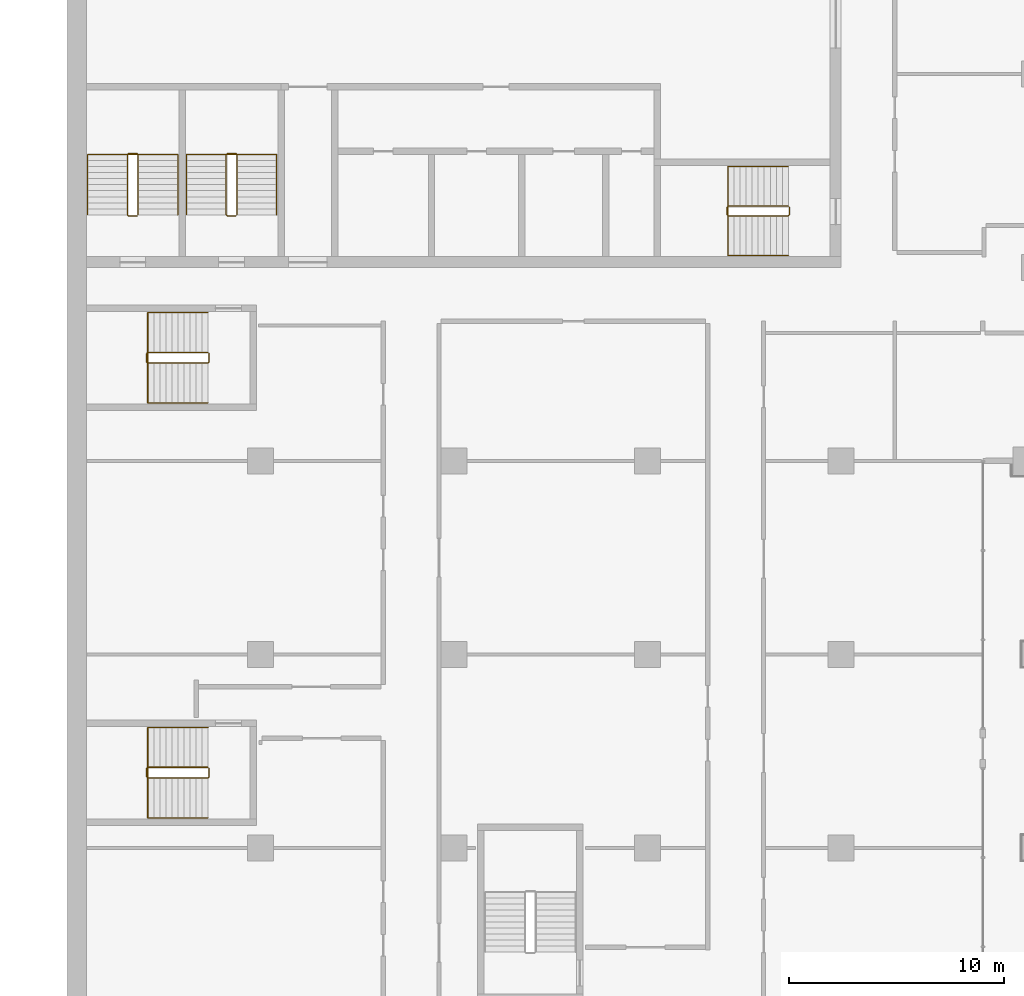
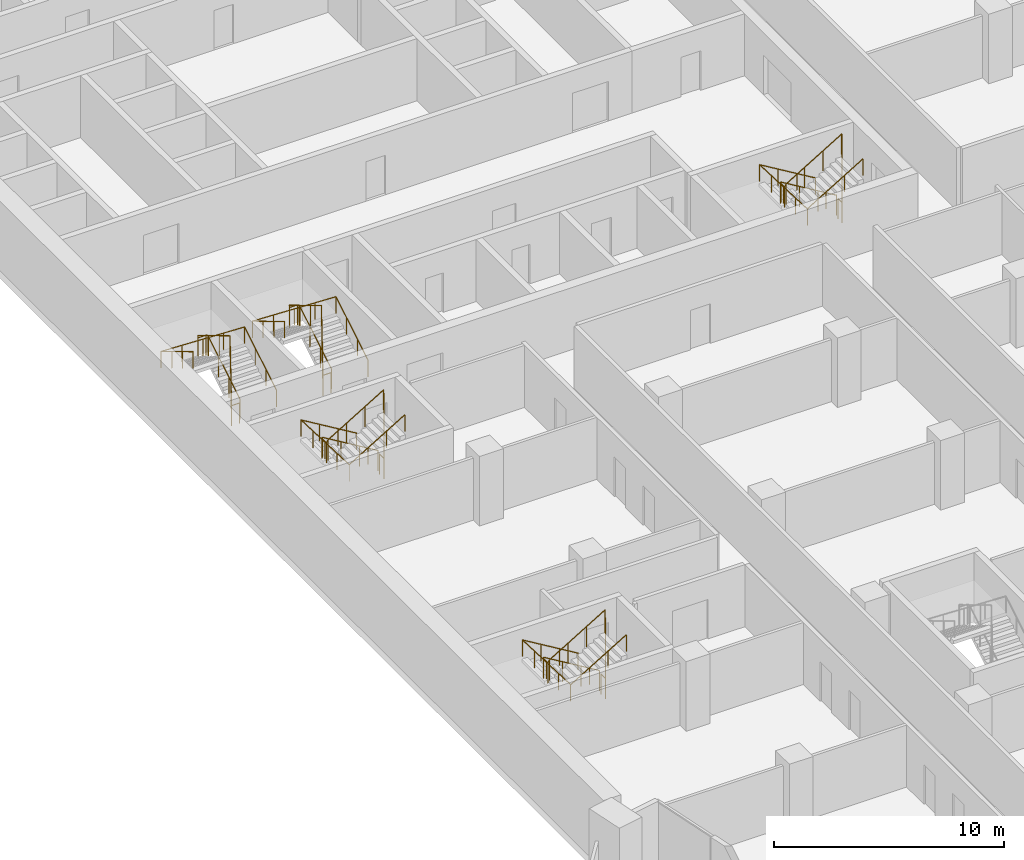
# One storey, part 20 of 22: 10 railings.
"""IFC4 building model written with IfcOpenShell, lengths in metres."""

from ifc_helpers import new_model, si_unit, direction, frame, origin, origin_2d, place, context, subcontext, project, spatial, circle, extrude, material, type_object, element, save


model = new_model("IFC4")

# Units and contexts
model_context = context("Model", 3, precision=1e-05, world=origin(), true_north=direction((0.0, 1.0)))
body_context = subcontext(model_context, "Body", "Model", "MODEL_VIEW")
ifc_project = project(units=[si_unit("LENGTHUNIT", "METRE"), si_unit("AREAUNIT", "SQUARE_METRE"), si_unit("VOLUMEUNIT", "CUBIC_METRE"), si_unit("PLANEANGLEUNIT", "RADIAN"), si_unit("MASSUNIT", "GRAM", prefix="KILO")], contexts=[model_context])

# Site, building, storey
site_placement = place(None, origin())
site = spatial("IfcSite", under=ifc_project, at=site_placement, CompositionType="ELEMENT")
building_placement = place(site_placement, origin())
building = spatial("IfcBuilding", under=site, at=building_placement, Name="Hunhe Ridgeline Campus", CompositionType="ELEMENT")
storey_placement = place(building_placement, frame((0.0, 0.0, 156.0)))
storey = spatial("IfcBuildingStorey", under=building, at=storey_placement, Name="L39", CompositionType="ELEMENT", Elevation=156.0)

# Railings
ifc_material_1 = material(Name="Stainless steel balustrade", Category="steel")
railing_type_1 = type_object("IfcRailingType", Name="Stair guard 1100 stainless", PredefinedType="GUARDRAIL", material=ifc_material_1)
railing_1_placement = place(storey_placement, frame((33.550048828125, 65.85009765625, 0.168212890625)))
element("IfcRailing", 1, at=railing_1_placement, inside=storey, type_object=railing_type_1, Name="L39 stair S2 guard", PredefinedType="GUARDRAIL", context=body_context, shape_type="SweptSolid", body=[
    extrude(circle(Radius=0.02392578125, at=origin_2d()), frame((0.0, 0.0, 1.076171875), z_axis=(-0.857242210791, 0.0, 0.514913383045), x_axis=(0.0, -1.0, 0.0)), (0.0, 0.0, 1.0), 3.266357421875),
    extrude(circle(Radius=0.02392578125, at=origin_2d()), frame((-2.800048828125, 0.0, 2.7578125), z_axis=(-0.707106781187, -0.707106781187, 0.0), x_axis=(0.707106781187, -0.707106781187, 0.0)), (0.0, 0.0, 1.0), 0.07080078125),
    extrude(circle(Radius=0.02392578125, at=origin_2d()), frame((-2.85009765625, -0.050048828125, 2.7578125), z_axis=(0.0, -1.0, 0.0), x_axis=(1.0, 0.0, 0.0)), (0.0, 0.0, 1.0), 0.35009765625),
    extrude(circle(Radius=0.02392578125, at=origin_2d()), frame((-2.85009765625, -0.400146484375, 2.7578125), z_axis=(0.274582412415, -0.274582412415, 0.921525364591), x_axis=(0.707106781187, 0.707106781187, 0.0)), (0.0, 0.0, 1.0), 0.182373046875),
    extrude(circle(Radius=0.02392578125, at=origin_2d()), frame((-2.800048828125, -0.4501953125, 2.92578125), z_axis=(0.857242210791, 0.0, 0.514913383045), x_axis=(0.0, 1.0, 0.0)), (0.0, 0.0, 1.0), 3.266357421875),
    extrude(circle(Radius=0.02392578125, at=origin_2d()), frame((0.0, -0.4501953125, 4.60791015625), z_axis=(0.013524414389, 0.013524414389, -0.999817073484), x_axis=(-0.707106781187, 0.707106781187, 0.0)), (0.0, 0.0, 1.0), 3.70068359375),
    extrude(circle(Radius=0.02392578125, at=origin_2d()), frame((0.050048828125, -0.400146484375, 0.90771484375), z_axis=(0.0, 1.0, 0.0), x_axis=(-1.0, 0.0, 0.0)), (0.0, 0.0, 1.0), 0.35009765625),
    extrude(circle(Radius=0.02099609375, at=origin_2d()), origin(), (0.0, 0.0, 1.0), 1.052001953125),
    extrude(circle(Radius=0.02099609375, at=origin_2d()), frame((-0.933349609375, 0.0, 0.560546875)), (0.0, 0.0, 1.0), 1.052001953125),
    extrude(circle(Radius=0.02099609375, at=origin_2d()), frame((-1.86669921875, 0.0, 1.121337890625)), (0.0, 0.0, 1.0), 1.052001953125),
    extrude(circle(Radius=0.02099609375, at=origin_2d()), frame((-2.800048828125, 0.0, 1.681884765625)), (0.0, 0.0, 1.0), 1.052001953125),
    extrude(circle(Radius=0.02099609375, at=origin_2d()), frame((-2.85009765625, -0.050048828125, 1.681884765625)), (0.0, 0.0, 1.0), 1.052001953125),
    extrude(circle(Radius=0.02099609375, at=origin_2d()), frame((-2.85009765625, -0.400146484375, 1.681884765625)), (0.0, 0.0, 1.0), 1.052001953125),
    extrude(circle(Radius=0.02099609375, at=origin_2d()), frame((-2.800048828125, -0.4501953125, 1.849853515625)), (0.0, 0.0, 1.0), 1.052001953125),
    extrude(circle(Radius=0.02099609375, at=origin_2d()), frame((-1.86669921875, -0.4501953125, 2.410400390625)), (0.0, 0.0, 1.0), 1.052001953125),
    extrude(circle(Radius=0.02099609375, at=origin_2d()), frame((-0.933349609375, -0.4501953125, 2.97119140625)), (0.0, 0.0, 1.0), 1.052001953125),
    extrude(circle(Radius=0.02099609375, at=origin_2d()), frame((0.0, -0.4501953125, 3.53173828125)), (0.0, 0.0, 1.0), 1.052001953125),
    extrude(circle(Radius=0.02099609375, at=origin_2d()), frame((0.012451171875, -0.437744140625, 2.606689453125)), (0.0, 0.0, 1.0), 1.052001953125),
    extrude(circle(Radius=0.02099609375, at=origin_2d()), frame((0.02490234375, -0.42529296875, 1.681640625)), (0.0, 0.0, 1.0), 1.052001953125),
    extrude(circle(Radius=0.02099609375, at=origin_2d()), frame((0.03759765625, -0.41259765625, 0.7568359375)), (0.0, 0.0, 1.0), 1.052001953125),
    extrude(circle(Radius=0.02099609375, at=origin_2d()), frame((0.050048828125, -0.400146484375, -0.168212890625)), (0.0, 0.0, 1.0), 1.052001953125),
    extrude(circle(Radius=0.02099609375, at=origin_2d()), frame((0.050048828125, -0.050048828125, -0.168212890625)), (0.0, 0.0, 1.0), 1.052001953125),
])
railing_2_placement = place(storey_placement, frame((3.300048828125, 65.449951171875, 0.168212890625)))
element("IfcRailing", 2, at=railing_2_placement, inside=storey, type_object=railing_type_1, Name="L39 stair S3 guard", PredefinedType="GUARDRAIL", context=body_context, shape_type="SweptSolid", body=[
    extrude(circle(Radius=0.02392578125, at=origin_2d()), frame((0.0, 0.0, 1.076171875), z_axis=(0.0, 0.857242210791, 0.514913383045), x_axis=(-1.0, 0.0, 0.0)), (0.0, 0.0, 1.0), 3.266357421875),
    extrude(circle(Radius=0.02392578125, at=origin_2d()), frame((0.0, 2.800048828125, 2.7578125), z_axis=(-0.707106781187, 0.707106781187, 0.0), x_axis=(-0.707106781187, -0.707106781187, 0.0)), (0.0, 0.0, 1.0), 0.07080078125),
    extrude(circle(Radius=0.02392578125, at=origin_2d()), frame((-0.050048828125, 2.85009765625, 2.7578125), z_axis=(-1.0, 0.0, 0.0), x_axis=(0.0, -1.0, 0.0)), (0.0, 0.0, 1.0), 0.39990234375),
    extrude(circle(Radius=0.02392578125, at=origin_2d()), frame((-0.449951171875, 2.85009765625, 2.7578125), z_axis=(-0.274582412415, -0.274582412415, 0.921525364591), x_axis=(0.707106781187, -0.707106781187, 0.0)), (0.0, 0.0, 1.0), 0.182373046875),
    extrude(circle(Radius=0.02392578125, at=origin_2d()), frame((-0.5, 2.800048828125, 2.92578125), z_axis=(0.0, -0.857242210791, 0.514913383045), x_axis=(1.0, 0.0, 0.0)), (0.0, 0.0, 1.0), 3.266357421875),
    extrude(circle(Radius=0.02392578125, at=origin_2d()), frame((-0.5, 0.0, 4.60791015625), z_axis=(0.013524414389, -0.013524414389, -0.999817073484), x_axis=(0.707106781187, 0.707106781187, 0.0)), (0.0, 0.0, 1.0), 3.70068359375),
    extrude(circle(Radius=0.02392578125, at=origin_2d()), frame((-0.449951171875, -0.050048828125, 0.90771484375), z_axis=(1.0, 0.0, 0.0), x_axis=(0.0, 1.0, 0.0)), (0.0, 0.0, 1.0), 0.39990234375),
    extrude(circle(Radius=0.02099609375, at=origin_2d()), origin(), (0.0, 0.0, 1.0), 1.052001953125),
    extrude(circle(Radius=0.02099609375, at=origin_2d()), frame((0.0, 0.933349609375, 0.560546875)), (0.0, 0.0, 1.0), 1.052001953125),
    extrude(circle(Radius=0.02099609375, at=origin_2d()), frame((0.0, 1.86669921875, 1.121337890625)), (0.0, 0.0, 1.0), 1.052001953125),
    extrude(circle(Radius=0.02099609375, at=origin_2d()), frame((0.0, 2.800048828125, 1.681884765625)), (0.0, 0.0, 1.0), 1.052001953125),
    extrude(circle(Radius=0.02099609375, at=origin_2d()), frame((-0.050048828125, 2.85009765625, 1.681884765625)), (0.0, 0.0, 1.0), 1.052001953125),
    extrude(circle(Radius=0.02099609375, at=origin_2d()), frame((-0.449951171875, 2.85009765625, 1.681884765625)), (0.0, 0.0, 1.0), 1.052001953125),
    extrude(circle(Radius=0.02099609375, at=origin_2d()), frame((-0.5, 2.800048828125, 1.849853515625)), (0.0, 0.0, 1.0), 1.052001953125),
    extrude(circle(Radius=0.02099609375, at=origin_2d()), frame((-0.5, 1.86669921875, 2.410400390625)), (0.0, 0.0, 1.0), 1.052001953125),
    extrude(circle(Radius=0.02099609375, at=origin_2d()), frame((-0.5, 0.933349609375, 2.97119140625)), (0.0, 0.0, 1.0), 1.052001953125),
    extrude(circle(Radius=0.02099609375, at=origin_2d()), frame((-0.5, 0.0, 3.53173828125)), (0.0, 0.0, 1.0), 1.052001953125),
    extrude(circle(Radius=0.02099609375, at=origin_2d()), frame((-0.487548828125, -0.012451171875, 2.606689453125)), (0.0, 0.0, 1.0), 1.052001953125),
    extrude(circle(Radius=0.02099609375, at=origin_2d()), frame((-0.47509765625, -0.02490234375, 1.681640625)), (0.0, 0.0, 1.0), 1.052001953125),
    extrude(circle(Radius=0.02099609375, at=origin_2d()), frame((-0.46240234375, -0.03759765625, 0.7568359375)), (0.0, 0.0, 1.0), 1.052001953125),
    extrude(circle(Radius=0.02099609375, at=origin_2d()), frame((-0.449951171875, -0.050048828125, -0.168212890625)), (0.0, 0.0, 1.0), 1.052001953125),
    extrude(circle(Radius=0.02099609375, at=origin_2d()), frame((-0.050048828125, -0.050048828125, -0.168212890625)), (0.0, 0.0, 1.0), 1.052001953125),
])
railing_3_placement = place(storey_placement, frame((7.89990234375, 65.449951171875, 0.168212890625)))
element("IfcRailing", 3, at=railing_3_placement, inside=storey, type_object=railing_type_1, Name="L39 stair S4 guard", PredefinedType="GUARDRAIL", context=body_context, shape_type="SweptSolid", body=[
    extrude(circle(Radius=0.02392578125, at=origin_2d()), frame((0.0, 0.0, 1.076171875), z_axis=(0.0, 0.857242210791, 0.514913383045), x_axis=(-1.0, 0.0, 0.0)), (0.0, 0.0, 1.0), 3.266357421875),
    extrude(circle(Radius=0.02392578125, at=origin_2d()), frame((0.0, 2.800048828125, 2.7578125), z_axis=(-0.705375805398, 0.708833529934, 0.0), x_axis=(-0.708833529934, -0.705375805398, 0.0)), (0.0, 0.0, 1.0), 0.070556640625),
    extrude(circle(Radius=0.02392578125, at=origin_2d()), frame((-0.0498046875, 2.85009765625, 2.7578125), z_axis=(-1.0, 0.0, 0.0), x_axis=(0.0, -1.0, 0.0)), (0.0, 0.0, 1.0), 0.400146484375),
    extrude(circle(Radius=0.02392578125, at=origin_2d()), frame((-0.449951171875, 2.85009765625, 2.7578125), z_axis=(-0.274582412415, -0.274582412415, 0.921525364591), x_axis=(0.707106781187, -0.707106781187, 0.0)), (0.0, 0.0, 1.0), 0.182373046875),
    extrude(circle(Radius=0.02392578125, at=origin_2d()), frame((-0.5, 2.800048828125, 2.92578125), z_axis=(0.0, -0.857242210791, 0.514913383045), x_axis=(1.0, 0.0, 0.0)), (0.0, 0.0, 1.0), 3.266357421875),
    extrude(circle(Radius=0.02392578125, at=origin_2d()), frame((-0.5, 0.0, 4.60791015625), z_axis=(0.013524414389, -0.013524414389, -0.999817073484), x_axis=(0.707106781187, 0.707106781187, 0.0)), (0.0, 0.0, 1.0), 3.70068359375),
    extrude(circle(Radius=0.02392578125, at=origin_2d()), frame((-0.449951171875, -0.050048828125, 0.90771484375), z_axis=(1.0, 0.0, 0.0), x_axis=(0.0, 1.0, 0.0)), (0.0, 0.0, 1.0), 0.400146484375),
    extrude(circle(Radius=0.02099609375, at=origin_2d()), origin(), (0.0, 0.0, 1.0), 1.052001953125),
    extrude(circle(Radius=0.02099609375, at=origin_2d()), frame((0.0, 0.933349609375, 0.560546875)), (0.0, 0.0, 1.0), 1.052001953125),
    extrude(circle(Radius=0.02099609375, at=origin_2d()), frame((0.0, 1.86669921875, 1.121337890625)), (0.0, 0.0, 1.0), 1.052001953125),
    extrude(circle(Radius=0.02099609375, at=origin_2d()), frame((0.0, 2.800048828125, 1.681884765625)), (0.0, 0.0, 1.0), 1.052001953125),
    extrude(circle(Radius=0.02099609375, at=origin_2d()), frame((-0.0498046875, 2.85009765625, 1.681884765625)), (0.0, 0.0, 1.0), 1.052001953125),
    extrude(circle(Radius=0.02099609375, at=origin_2d()), frame((-0.449951171875, 2.85009765625, 1.681884765625)), (0.0, 0.0, 1.0), 1.052001953125),
    extrude(circle(Radius=0.02099609375, at=origin_2d()), frame((-0.5, 2.800048828125, 1.849853515625)), (0.0, 0.0, 1.0), 1.052001953125),
    extrude(circle(Radius=0.02099609375, at=origin_2d()), frame((-0.5, 1.86669921875, 2.410400390625)), (0.0, 0.0, 1.0), 1.052001953125),
    extrude(circle(Radius=0.02099609375, at=origin_2d()), frame((-0.5, 0.933349609375, 2.97119140625)), (0.0, 0.0, 1.0), 1.052001953125),
    extrude(circle(Radius=0.02099609375, at=origin_2d()), frame((-0.5, 0.0, 3.53173828125)), (0.0, 0.0, 1.0), 1.052001953125),
    extrude(circle(Radius=0.02099609375, at=origin_2d()), frame((-0.487548828125, -0.012451171875, 2.606689453125)), (0.0, 0.0, 1.0), 1.052001953125),
    extrude(circle(Radius=0.02099609375, at=origin_2d()), frame((-0.47509765625, -0.02490234375, 1.681640625)), (0.0, 0.0, 1.0), 1.052001953125),
    extrude(circle(Radius=0.02099609375, at=origin_2d()), frame((-0.46240234375, -0.03759765625, 0.7568359375)), (0.0, 0.0, 1.0), 1.052001953125),
    extrude(circle(Radius=0.02099609375, at=origin_2d()), frame((-0.449951171875, -0.050048828125, -0.168212890625)), (0.0, 0.0, 1.0), 1.052001953125),
    extrude(circle(Radius=0.02099609375, at=origin_2d()), frame((-0.0498046875, -0.050048828125, -0.168212890625)), (0.0, 0.0, 1.0), 1.052001953125),
])
railing_4_placement = place(storey_placement, frame((6.550048828125, 39.75, 0.168212890625)))
element("IfcRailing", 4, at=railing_4_placement, inside=storey, type_object=railing_type_1, Name="L39 stair W1 guard", PredefinedType="GUARDRAIL", context=body_context, shape_type="SweptSolid", body=[
    extrude(circle(Radius=0.02392578125, at=origin_2d()), frame((0.0, 0.0, 1.076171875), z_axis=(-0.857242210791, 0.0, 0.514913383045), x_axis=(0.0, -1.0, 0.0)), (0.0, 0.0, 1.0), 3.266357421875),
    extrude(circle(Radius=0.02392578125, at=origin_2d()), frame((-2.800048828125, 0.0, 2.7578125), z_axis=(-0.707106781187, -0.707106781187, 0.0), x_axis=(0.707106781187, -0.707106781187, 0.0)), (0.0, 0.0, 1.0), 0.07080078125),
    extrude(circle(Radius=0.02392578125, at=origin_2d()), frame((-2.85009765625, -0.050048828125, 2.7578125), z_axis=(0.0, -1.0, 0.0), x_axis=(1.0, 0.0, 0.0)), (0.0, 0.0, 1.0), 0.39990234375),
    extrude(circle(Radius=0.02392578125, at=origin_2d()), frame((-2.85009765625, -0.449951171875, 2.7578125), z_axis=(0.274582412415, -0.274582412415, 0.921525364591), x_axis=(0.707106781187, 0.707106781187, 0.0)), (0.0, 0.0, 1.0), 0.182373046875),
    extrude(circle(Radius=0.02392578125, at=origin_2d()), frame((-2.800048828125, -0.5, 2.92578125), z_axis=(0.857242210791, 0.0, 0.514913383045), x_axis=(0.0, 1.0, 0.0)), (0.0, 0.0, 1.0), 3.266357421875),
    extrude(circle(Radius=0.02392578125, at=origin_2d()), frame((0.0, -0.5, 4.60791015625), z_axis=(0.013524414389, 0.013524414389, -0.999817073484), x_axis=(-0.707106781187, 0.707106781187, 0.0)), (0.0, 0.0, 1.0), 3.70068359375),
    extrude(circle(Radius=0.02392578125, at=origin_2d()), frame((0.050048828125, -0.449951171875, 0.90771484375), z_axis=(0.0, 1.0, 0.0), x_axis=(-1.0, 0.0, 0.0)), (0.0, 0.0, 1.0), 0.39990234375),
    extrude(circle(Radius=0.02099609375, at=origin_2d()), origin(), (0.0, 0.0, 1.0), 1.052001953125),
    extrude(circle(Radius=0.02099609375, at=origin_2d()), frame((-0.933349609375, 0.0, 0.560546875)), (0.0, 0.0, 1.0), 1.052001953125),
    extrude(circle(Radius=0.02099609375, at=origin_2d()), frame((-1.86669921875, 0.0, 1.121337890625)), (0.0, 0.0, 1.0), 1.052001953125),
    extrude(circle(Radius=0.02099609375, at=origin_2d()), frame((-2.800048828125, 0.0, 1.681884765625)), (0.0, 0.0, 1.0), 1.052001953125),
    extrude(circle(Radius=0.02099609375, at=origin_2d()), frame((-2.85009765625, -0.050048828125, 1.681884765625)), (0.0, 0.0, 1.0), 1.052001953125),
    extrude(circle(Radius=0.02099609375, at=origin_2d()), frame((-2.85009765625, -0.449951171875, 1.681884765625)), (0.0, 0.0, 1.0), 1.052001953125),
    extrude(circle(Radius=0.02099609375, at=origin_2d()), frame((-2.800048828125, -0.5, 1.849853515625)), (0.0, 0.0, 1.0), 1.052001953125),
    extrude(circle(Radius=0.02099609375, at=origin_2d()), frame((-1.86669921875, -0.5, 2.410400390625)), (0.0, 0.0, 1.0), 1.052001953125),
    extrude(circle(Radius=0.02099609375, at=origin_2d()), frame((-0.933349609375, -0.5, 2.97119140625)), (0.0, 0.0, 1.0), 1.052001953125),
    extrude(circle(Radius=0.02099609375, at=origin_2d()), frame((0.0, -0.5, 3.53173828125)), (0.0, 0.0, 1.0), 1.052001953125),
    extrude(circle(Radius=0.02099609375, at=origin_2d()), frame((0.012451171875, -0.487548828125, 2.606689453125)), (0.0, 0.0, 1.0), 1.052001953125),
    extrude(circle(Radius=0.02099609375, at=origin_2d()), frame((0.02490234375, -0.47509765625, 1.681640625)), (0.0, 0.0, 1.0), 1.052001953125),
    extrude(circle(Radius=0.02099609375, at=origin_2d()), frame((0.03759765625, -0.46240234375, 0.7568359375)), (0.0, 0.0, 1.0), 1.052001953125),
    extrude(circle(Radius=0.02099609375, at=origin_2d()), frame((0.050048828125, -0.449951171875, -0.168212890625)), (0.0, 0.0, 1.0), 1.052001953125),
    extrude(circle(Radius=0.02099609375, at=origin_2d()), frame((0.050048828125, -0.050048828125, -0.168212890625)), (0.0, 0.0, 1.0), 1.052001953125),
])
railing_5_placement = place(storey_placement, frame((6.550048828125, 59.050048828125, 0.168212890625)))
element("IfcRailing", 5, at=railing_5_placement, inside=storey, type_object=railing_type_1, Name="L39 stair W2 guard", PredefinedType="GUARDRAIL", context=body_context, shape_type="SweptSolid", body=[
    extrude(circle(Radius=0.02392578125, at=origin_2d()), frame((0.0, 0.0, 1.076171875), z_axis=(-0.857242210791, 0.0, 0.514913383045), x_axis=(0.0, -1.0, 0.0)), (0.0, 0.0, 1.0), 3.266357421875),
    extrude(circle(Radius=0.02392578125, at=origin_2d()), frame((-2.800048828125, 0.0, 2.7578125), z_axis=(-0.707106781187, -0.707106781187, 0.0), x_axis=(0.707106781187, -0.707106781187, 0.0)), (0.0, 0.0, 1.0), 0.07080078125),
    extrude(circle(Radius=0.02392578125, at=origin_2d()), frame((-2.85009765625, -0.050048828125, 2.7578125), z_axis=(0.0, -1.0, 0.0), x_axis=(1.0, 0.0, 0.0)), (0.0, 0.0, 1.0), 0.39990234375),
    extrude(circle(Radius=0.02392578125, at=origin_2d()), frame((-2.85009765625, -0.449951171875, 2.7578125), z_axis=(0.274582412415, -0.274582412415, 0.921525364591), x_axis=(0.707106781187, 0.707106781187, 0.0)), (0.0, 0.0, 1.0), 0.182373046875),
    extrude(circle(Radius=0.02392578125, at=origin_2d()), frame((-2.800048828125, -0.5, 2.92578125), z_axis=(0.857242210791, 0.0, 0.514913383045), x_axis=(0.0, 1.0, 0.0)), (0.0, 0.0, 1.0), 3.266357421875),
    extrude(circle(Radius=0.02392578125, at=origin_2d()), frame((0.0, -0.5, 4.60791015625), z_axis=(0.013524414389, 0.013524414389, -0.999817073484), x_axis=(-0.707106781187, 0.707106781187, 0.0)), (0.0, 0.0, 1.0), 3.70068359375),
    extrude(circle(Radius=0.02392578125, at=origin_2d()), frame((0.050048828125, -0.449951171875, 0.90771484375), z_axis=(0.0, 1.0, 0.0), x_axis=(-1.0, 0.0, 0.0)), (0.0, 0.0, 1.0), 0.39990234375),
    extrude(circle(Radius=0.02099609375, at=origin_2d()), origin(), (0.0, 0.0, 1.0), 1.052001953125),
    extrude(circle(Radius=0.02099609375, at=origin_2d()), frame((-0.933349609375, 0.0, 0.560546875)), (0.0, 0.0, 1.0), 1.052001953125),
    extrude(circle(Radius=0.02099609375, at=origin_2d()), frame((-1.86669921875, 0.0, 1.121337890625)), (0.0, 0.0, 1.0), 1.052001953125),
    extrude(circle(Radius=0.02099609375, at=origin_2d()), frame((-2.800048828125, 0.0, 1.681884765625)), (0.0, 0.0, 1.0), 1.052001953125),
    extrude(circle(Radius=0.02099609375, at=origin_2d()), frame((-2.85009765625, -0.050048828125, 1.681884765625)), (0.0, 0.0, 1.0), 1.052001953125),
    extrude(circle(Radius=0.02099609375, at=origin_2d()), frame((-2.85009765625, -0.449951171875, 1.681884765625)), (0.0, 0.0, 1.0), 1.052001953125),
    extrude(circle(Radius=0.02099609375, at=origin_2d()), frame((-2.800048828125, -0.5, 1.849853515625)), (0.0, 0.0, 1.0), 1.052001953125),
    extrude(circle(Radius=0.02099609375, at=origin_2d()), frame((-1.86669921875, -0.5, 2.410400390625)), (0.0, 0.0, 1.0), 1.052001953125),
    extrude(circle(Radius=0.02099609375, at=origin_2d()), frame((-0.933349609375, -0.5, 2.97119140625)), (0.0, 0.0, 1.0), 1.052001953125),
    extrude(circle(Radius=0.02099609375, at=origin_2d()), frame((0.0, -0.5, 3.53173828125)), (0.0, 0.0, 1.0), 1.052001953125),
    extrude(circle(Radius=0.02099609375, at=origin_2d()), frame((0.012451171875, -0.487548828125, 2.606689453125)), (0.0, 0.0, 1.0), 1.052001953125),
    extrude(circle(Radius=0.02099609375, at=origin_2d()), frame((0.02490234375, -0.47509765625, 1.681640625)), (0.0, 0.0, 1.0), 1.052001953125),
    extrude(circle(Radius=0.02099609375, at=origin_2d()), frame((0.03759765625, -0.46240234375, 0.7568359375)), (0.0, 0.0, 1.0), 1.052001953125),
    extrude(circle(Radius=0.02099609375, at=origin_2d()), frame((0.050048828125, -0.449951171875, -0.168212890625)), (0.0, 0.0, 1.0), 1.052001953125),
    extrude(circle(Radius=0.02099609375, at=origin_2d()), frame((0.050048828125, -0.050048828125, -0.168212890625)), (0.0, 0.0, 1.0), 1.052001953125),
])
ifc_material_2 = material(Name="Stainless steel handrail", Category="steel")
railing_type_2 = type_object("IfcRailingType", Name="Stair handrail 900 stainless", PredefinedType="HANDRAIL", material=ifc_material_2)
railing_6_placement = place(storey_placement, frame((33.550048828125, 67.699951171875, 0.168212890625)))
element("IfcRailing", 6, at=railing_6_placement, inside=storey, type_object=railing_type_2, Name="L39 stair S2 handrail", PredefinedType="HANDRAIL", context=body_context, shape_type="SweptSolid", body=[
    extrude(circle(Radius=0.02392578125, at=origin_2d()), frame((0.0, 0.0, 0.8759765625), z_axis=(-0.857242210791, 0.0, 0.514913383045), x_axis=(0.0, -1.0, 0.0)), (0.0, 0.0, 1.0), 3.266357421875),
    extrude(circle(Radius=0.02392578125, at=origin_2d()), frame((-2.800048828125, 0.0, 2.5576171875), z_axis=(0.0, -0.999181878101, 0.040442236271), x_axis=(1.0, 0.0, 0.0)), (0.0, 0.0, 1.0), 4.1533203125),
    extrude(circle(Radius=0.02392578125, at=origin_2d()), frame((-2.800048828125, -4.14990234375, 2.7255859375), z_axis=(0.857242210791, 0.0, 0.514913383045), x_axis=(0.0, 1.0, 0.0)), (0.0, 0.0, 1.0), 3.266357421875),
    extrude(circle(Radius=0.02099609375, at=origin_2d()), origin(), (0.0, 0.0, 1.0), 0.851806640625),
    extrude(circle(Radius=0.02099609375, at=origin_2d()), frame((-0.933349609375, 0.0, 0.560546875)), (0.0, 0.0, 1.0), 0.851806640625),
    extrude(circle(Radius=0.02099609375, at=origin_2d()), frame((-1.86669921875, 0.0, 1.121337890625)), (0.0, 0.0, 1.0), 0.851806640625),
    extrude(circle(Radius=0.02099609375, at=origin_2d()), frame((-2.800048828125, 0.0, 1.681884765625)), (0.0, 0.0, 1.0), 0.851806640625),
    extrude(circle(Radius=0.02099609375, at=origin_2d()), frame((-2.800048828125, -1.03759765625, 1.723876953125)), (0.0, 0.0, 1.0), 0.851806640625),
    extrude(circle(Radius=0.02099609375, at=origin_2d()), frame((-2.800048828125, -2.074951171875, 1.765869140625)), (0.0, 0.0, 1.0), 0.851806640625),
    extrude(circle(Radius=0.02099609375, at=origin_2d()), frame((-2.800048828125, -3.1123046875, 1.807861328125)), (0.0, 0.0, 1.0), 0.851806640625),
    extrude(circle(Radius=0.02099609375, at=origin_2d()), frame((-2.800048828125, -4.14990234375, 1.849853515625)), (0.0, 0.0, 1.0), 0.851806640625),
    extrude(circle(Radius=0.02099609375, at=origin_2d()), frame((-1.86669921875, -4.14990234375, 2.410400390625)), (0.0, 0.0, 1.0), 0.851806640625),
    extrude(circle(Radius=0.02099609375, at=origin_2d()), frame((-0.933349609375, -4.14990234375, 2.97119140625)), (0.0, 0.0, 1.0), 0.851806640625),
    extrude(circle(Radius=0.02099609375, at=origin_2d()), frame((0.0, -4.14990234375, 3.53173828125)), (0.0, 0.0, 1.0), 0.851806640625),
])
railing_7_placement = place(storey_placement, frame((5.14990234375, 65.449951171875, 0.168212890625)))
element("IfcRailing", 7, at=railing_7_placement, inside=storey, type_object=railing_type_2, Name="L39 stair S3 handrail", PredefinedType="HANDRAIL", context=body_context, shape_type="SweptSolid", body=[
    extrude(circle(Radius=0.02392578125, at=origin_2d()), frame((0.0, 0.0, 0.8759765625), z_axis=(0.0, 0.857242210791, 0.514913383045), x_axis=(-1.0, 0.0, 0.0)), (0.0, 0.0, 1.0), 3.266357421875),
    extrude(circle(Radius=0.02392578125, at=origin_2d()), frame((0.0, 2.800048828125, 2.5576171875), z_axis=(-0.99920123705, 0.0, 0.039961079526), x_axis=(0.0, -1.0, 0.0)), (0.0, 0.0, 1.0), 4.203369140625),
    extrude(circle(Radius=0.02392578125, at=origin_2d()), frame((-4.199951171875, 2.800048828125, 2.7255859375), z_axis=(0.0, -0.857242210791, 0.514913383045), x_axis=(1.0, 0.0, 0.0)), (0.0, 0.0, 1.0), 3.266357421875),
    extrude(circle(Radius=0.02099609375, at=origin_2d()), origin(), (0.0, 0.0, 1.0), 0.851806640625),
    extrude(circle(Radius=0.02099609375, at=origin_2d()), frame((0.0, 0.933349609375, 0.560546875)), (0.0, 0.0, 1.0), 0.851806640625),
    extrude(circle(Radius=0.02099609375, at=origin_2d()), frame((0.0, 1.86669921875, 1.121337890625)), (0.0, 0.0, 1.0), 0.851806640625),
    extrude(circle(Radius=0.02099609375, at=origin_2d()), frame((0.0, 2.800048828125, 1.681884765625)), (0.0, 0.0, 1.0), 0.851806640625),
    extrude(circle(Radius=0.02099609375, at=origin_2d()), frame((-1.050048828125, 2.800048828125, 1.723876953125)), (0.0, 0.0, 1.0), 0.851806640625),
    extrude(circle(Radius=0.02099609375, at=origin_2d()), frame((-2.10009765625, 2.800048828125, 1.765869140625)), (0.0, 0.0, 1.0), 0.851806640625),
    extrude(circle(Radius=0.02099609375, at=origin_2d()), frame((-3.14990234375, 2.800048828125, 1.807861328125)), (0.0, 0.0, 1.0), 0.851806640625),
    extrude(circle(Radius=0.02099609375, at=origin_2d()), frame((-4.199951171875, 2.800048828125, 1.849853515625)), (0.0, 0.0, 1.0), 0.851806640625),
    extrude(circle(Radius=0.02099609375, at=origin_2d()), frame((-4.199951171875, 1.86669921875, 2.410400390625)), (0.0, 0.0, 1.0), 0.851806640625),
    extrude(circle(Radius=0.02099609375, at=origin_2d()), frame((-4.199951171875, 0.933349609375, 2.97119140625)), (0.0, 0.0, 1.0), 0.851806640625),
    extrude(circle(Radius=0.02099609375, at=origin_2d()), frame((-4.199951171875, 0.0, 3.53173828125)), (0.0, 0.0, 1.0), 0.851806640625),
])
railing_8_placement = place(storey_placement, frame((9.75, 65.449951171875, 0.168212890625)))
element("IfcRailing", 8, at=railing_8_placement, inside=storey, type_object=railing_type_2, Name="L39 stair S4 handrail", PredefinedType="HANDRAIL", context=body_context, shape_type="SweptSolid", body=[
    extrude(circle(Radius=0.02392578125, at=origin_2d()), frame((0.0, 0.0, 0.8759765625), z_axis=(0.0, 0.857242210791, 0.514913383045), x_axis=(-1.0, 0.0, 0.0)), (0.0, 0.0, 1.0), 3.266357421875),
    extrude(circle(Radius=0.02392578125, at=origin_2d()), frame((0.0, 2.800048828125, 2.5576171875), z_axis=(-0.99920123705, 0.0, 0.039961079526), x_axis=(0.0, -1.0, 0.0)), (0.0, 0.0, 1.0), 4.203369140625),
    extrude(circle(Radius=0.02392578125, at=origin_2d()), frame((-4.199951171875, 2.800048828125, 2.7255859375), z_axis=(0.0, -0.857242210791, 0.514913383045), x_axis=(1.0, 0.0, 0.0)), (0.0, 0.0, 1.0), 3.266357421875),
    extrude(circle(Radius=0.02099609375, at=origin_2d()), origin(), (0.0, 0.0, 1.0), 0.851806640625),
    extrude(circle(Radius=0.02099609375, at=origin_2d()), frame((0.0, 0.933349609375, 0.560546875)), (0.0, 0.0, 1.0), 0.851806640625),
    extrude(circle(Radius=0.02099609375, at=origin_2d()), frame((0.0, 1.86669921875, 1.121337890625)), (0.0, 0.0, 1.0), 0.851806640625),
    extrude(circle(Radius=0.02099609375, at=origin_2d()), frame((0.0, 2.800048828125, 1.681884765625)), (0.0, 0.0, 1.0), 0.851806640625),
    extrude(circle(Radius=0.02099609375, at=origin_2d()), frame((-1.050048828125, 2.800048828125, 1.723876953125)), (0.0, 0.0, 1.0), 0.851806640625),
    extrude(circle(Radius=0.02099609375, at=origin_2d()), frame((-2.10009765625, 2.800048828125, 1.765869140625)), (0.0, 0.0, 1.0), 0.851806640625),
    extrude(circle(Radius=0.02099609375, at=origin_2d()), frame((-3.14990234375, 2.800048828125, 1.807861328125)), (0.0, 0.0, 1.0), 0.851806640625),
    extrude(circle(Radius=0.02099609375, at=origin_2d()), frame((-4.199951171875, 2.800048828125, 1.849853515625)), (0.0, 0.0, 1.0), 0.851806640625),
    extrude(circle(Radius=0.02099609375, at=origin_2d()), frame((-4.199951171875, 1.86669921875, 2.410400390625)), (0.0, 0.0, 1.0), 0.851806640625),
    extrude(circle(Radius=0.02099609375, at=origin_2d()), frame((-4.199951171875, 0.933349609375, 2.97119140625)), (0.0, 0.0, 1.0), 0.851806640625),
    extrude(circle(Radius=0.02099609375, at=origin_2d()), frame((-4.199951171875, 0.0, 3.53173828125)), (0.0, 0.0, 1.0), 0.851806640625),
])
railing_9_placement = place(storey_placement, frame((6.550048828125, 41.60009765625, 0.168212890625)))
element("IfcRailing", 9, at=railing_9_placement, inside=storey, type_object=railing_type_2, Name="L39 stair W1 handrail", PredefinedType="HANDRAIL", context=body_context, shape_type="SweptSolid", body=[
    extrude(circle(Radius=0.02392578125, at=origin_2d()), frame((0.0, 0.0, 0.8759765625), z_axis=(-0.857242210791, 0.0, 0.514913383045), x_axis=(0.0, -1.0, 0.0)), (0.0, 0.0, 1.0), 3.266357421875),
    extrude(circle(Radius=0.02392578125, at=origin_2d()), frame((-2.800048828125, 0.0, 2.5576171875), z_axis=(0.0, -0.999201329794, 0.039958760457), x_axis=(1.0, 0.0, 0.0)), (0.0, 0.0, 1.0), 4.20361328125),
    extrude(circle(Radius=0.02392578125, at=origin_2d()), frame((-2.800048828125, -4.2001953125, 2.7255859375), z_axis=(0.857242210791, 0.0, 0.514913383045), x_axis=(0.0, 1.0, 0.0)), (0.0, 0.0, 1.0), 3.266357421875),
    extrude(circle(Radius=0.02099609375, at=origin_2d()), origin(), (0.0, 0.0, 1.0), 0.851806640625),
    extrude(circle(Radius=0.02099609375, at=origin_2d()), frame((-0.933349609375, 0.0, 0.560546875)), (0.0, 0.0, 1.0), 0.851806640625),
    extrude(circle(Radius=0.02099609375, at=origin_2d()), frame((-1.86669921875, 0.0, 1.121337890625)), (0.0, 0.0, 1.0), 0.851806640625),
    extrude(circle(Radius=0.02099609375, at=origin_2d()), frame((-2.800048828125, 0.0, 1.681884765625)), (0.0, 0.0, 1.0), 0.851806640625),
    extrude(circle(Radius=0.02099609375, at=origin_2d()), frame((-2.800048828125, -1.050048828125, 1.723876953125)), (0.0, 0.0, 1.0), 0.851806640625),
    extrude(circle(Radius=0.02099609375, at=origin_2d()), frame((-2.800048828125, -2.10009765625, 1.765869140625)), (0.0, 0.0, 1.0), 0.851806640625),
    extrude(circle(Radius=0.02099609375, at=origin_2d()), frame((-2.800048828125, -3.150146484375, 1.807861328125)), (0.0, 0.0, 1.0), 0.851806640625),
    extrude(circle(Radius=0.02099609375, at=origin_2d()), frame((-2.800048828125, -4.2001953125, 1.849853515625)), (0.0, 0.0, 1.0), 0.851806640625),
    extrude(circle(Radius=0.02099609375, at=origin_2d()), frame((-1.86669921875, -4.2001953125, 2.410400390625)), (0.0, 0.0, 1.0), 0.851806640625),
    extrude(circle(Radius=0.02099609375, at=origin_2d()), frame((-0.933349609375, -4.2001953125, 2.97119140625)), (0.0, 0.0, 1.0), 0.851806640625),
    extrude(circle(Radius=0.02099609375, at=origin_2d()), frame((0.0, -4.2001953125, 3.53173828125)), (0.0, 0.0, 1.0), 0.851806640625),
])
railing_10_placement = place(storey_placement, frame((6.550048828125, 60.89990234375, 0.168212890625)))
element("IfcRailing", 10, at=railing_10_placement, inside=storey, type_object=railing_type_2, Name="L39 stair W2 handrail", PredefinedType="HANDRAIL", context=body_context, shape_type="SweptSolid", body=[
    extrude(circle(Radius=0.02392578125, at=origin_2d()), frame((0.0, 0.0, 0.8759765625), z_axis=(-0.857242210791, 0.0, 0.514913383045), x_axis=(0.0, -1.0, 0.0)), (0.0, 0.0, 1.0), 3.266357421875),
    extrude(circle(Radius=0.02392578125, at=origin_2d()), frame((-2.800048828125, 0.0, 2.5576171875), z_axis=(0.0, -0.99920123705, 0.039961079526), x_axis=(1.0, 0.0, 0.0)), (0.0, 0.0, 1.0), 4.203369140625),
    extrude(circle(Radius=0.02392578125, at=origin_2d()), frame((-2.800048828125, -4.199951171875, 2.7255859375), z_axis=(0.857242210791, 0.0, 0.514913383045), x_axis=(0.0, 1.0, 0.0)), (0.0, 0.0, 1.0), 3.266357421875),
    extrude(circle(Radius=0.02099609375, at=origin_2d()), origin(), (0.0, 0.0, 1.0), 0.851806640625),
    extrude(circle(Radius=0.02099609375, at=origin_2d()), frame((-0.933349609375, 0.0, 0.560546875)), (0.0, 0.0, 1.0), 0.851806640625),
    extrude(circle(Radius=0.02099609375, at=origin_2d()), frame((-1.86669921875, 0.0, 1.121337890625)), (0.0, 0.0, 1.0), 0.851806640625),
    extrude(circle(Radius=0.02099609375, at=origin_2d()), frame((-2.800048828125, 0.0, 1.681884765625)), (0.0, 0.0, 1.0), 0.851806640625),
    extrude(circle(Radius=0.02099609375, at=origin_2d()), frame((-2.800048828125, -1.050048828125, 1.723876953125)), (0.0, 0.0, 1.0), 0.851806640625),
    extrude(circle(Radius=0.02099609375, at=origin_2d()), frame((-2.800048828125, -2.10009765625, 1.765869140625)), (0.0, 0.0, 1.0), 0.851806640625),
    extrude(circle(Radius=0.02099609375, at=origin_2d()), frame((-2.800048828125, -3.14990234375, 1.807861328125)), (0.0, 0.0, 1.0), 0.851806640625),
    extrude(circle(Radius=0.02099609375, at=origin_2d()), frame((-2.800048828125, -4.199951171875, 1.849853515625)), (0.0, 0.0, 1.0), 0.851806640625),
    extrude(circle(Radius=0.02099609375, at=origin_2d()), frame((-1.86669921875, -4.199951171875, 2.410400390625)), (0.0, 0.0, 1.0), 0.851806640625),
    extrude(circle(Radius=0.02099609375, at=origin_2d()), frame((-0.933349609375, -4.199951171875, 2.97119140625)), (0.0, 0.0, 1.0), 0.851806640625),
    extrude(circle(Radius=0.02099609375, at=origin_2d()), frame((0.0, -4.199951171875, 3.53173828125)), (0.0, 0.0, 1.0), 0.851806640625),
])

save(model, "model.ifc")
